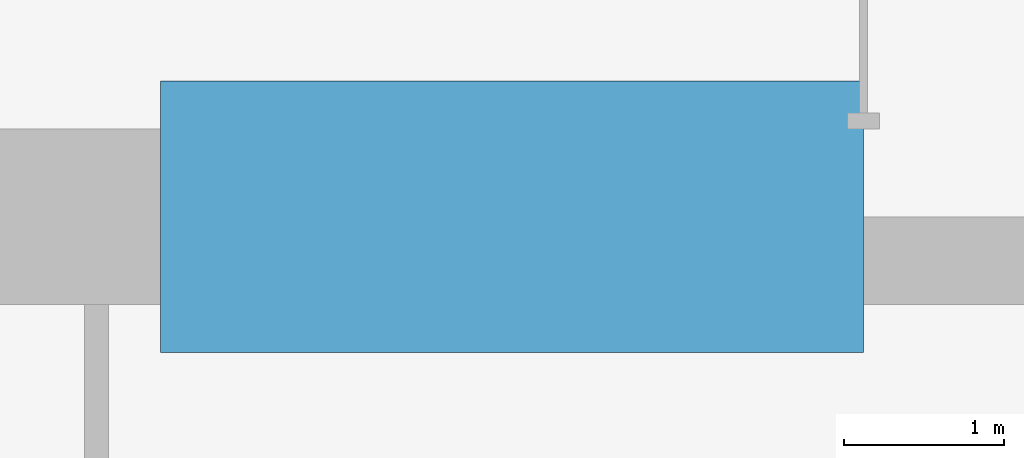
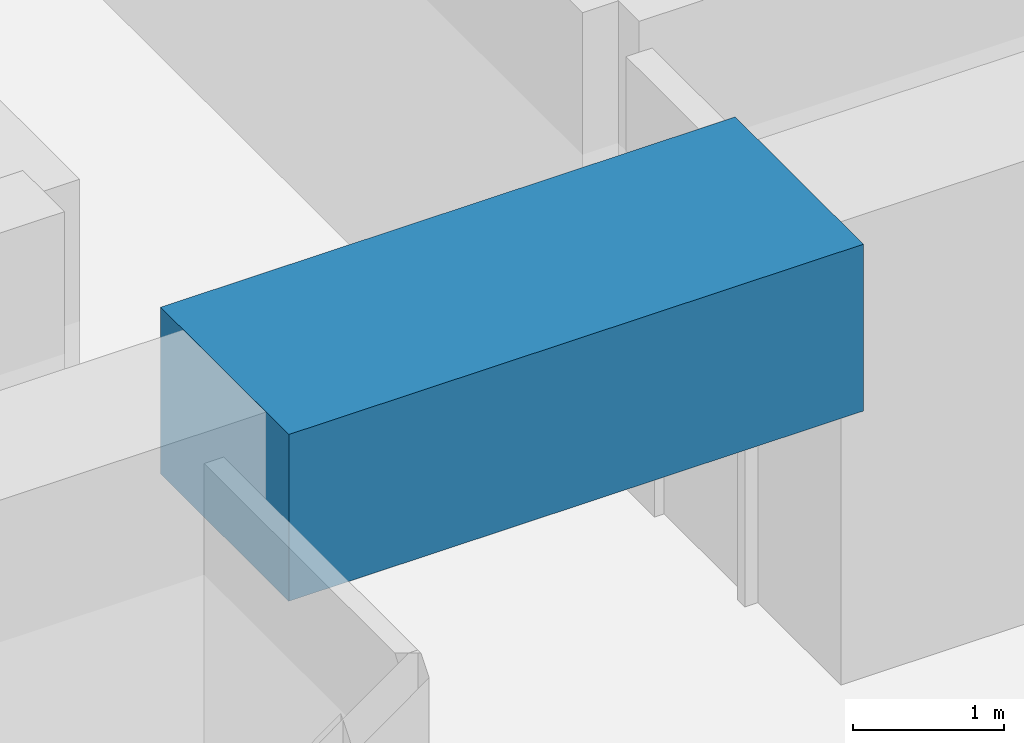
# One storey, part 13 of 45: 1 beam.
"""IFC4 building model written with IfcOpenShell, lengths in metres."""

from ifc_helpers import new_model, si_unit, direction, frame, origin, origin_2d, place, context, subcontext, project, spatial, rectangle, extrude, material, material_profile, profile_set, type_object, element, save


model = new_model("IFC4")

# Units and contexts
model_context = context("Model", 3, precision=1e-05, world=origin(), true_north=direction((0.0, 1.0)))
body_context = subcontext(model_context, "Body", "Model", "MODEL_VIEW")
ifc_project = project(units=[si_unit("LENGTHUNIT", "METRE"), si_unit("AREAUNIT", "SQUARE_METRE"), si_unit("VOLUMEUNIT", "CUBIC_METRE"), si_unit("PLANEANGLEUNIT", "RADIAN"), si_unit("MASSUNIT", "GRAM", prefix="KILO")], contexts=[model_context])

# Site, building, storey
site_placement = place(None, origin())
site = spatial("IfcSite", under=ifc_project, at=site_placement, CompositionType="ELEMENT")
building_placement = place(site_placement, origin())
building = spatial("IfcBuilding", under=site, at=building_placement, Name="Rekha Terrace Tower", CompositionType="ELEMENT")
storey_placement = place(building_placement, frame((0.0, 0.0, 32.89990234375)))
storey = spatial("IfcBuildingStorey", under=building, at=storey_placement, Name="L07", CompositionType="ELEMENT", Elevation=32.89990234375)

# Beam
ifc_material = material(Name="Concrete M70", Category="concrete")
ifc_material_profile = material_profile(ifc_material, rectangle(XDim=1.699951171875, YDim=1.35009765625, at=origin_2d()), Name="RC 1700x1350")
ifc_profile_set = profile_set([ifc_material_profile], Name="Concrete M70")
beam_type = type_object("IfcBeamType", Name="LB1A 1700x1350 diagonally reinforced coupling beam", PredefinedType="LINTEL", material=ifc_profile_set)
beam_placement = place(storey_placement, frame((35.60009765625, 21.0, 3.0751953125), z_axis=(1.0, 0.0, 0.0), x_axis=(0.0, 1.0, 0.0)))
element("IfcBeam", 1, at=beam_placement, inside=storey, type_object=beam_type, Name="Coupling beam LB1A S L07", PredefinedType="LINTEL", context=body_context, shape_type="SweptSolid", body=[
    extrude(rectangle(XDim=1.699951171875, YDim=1.35009765625, at=origin_2d()), origin(), (0.0, 0.0, 1.0), 4.39990234375),
])

save(model, "model.ifc")
